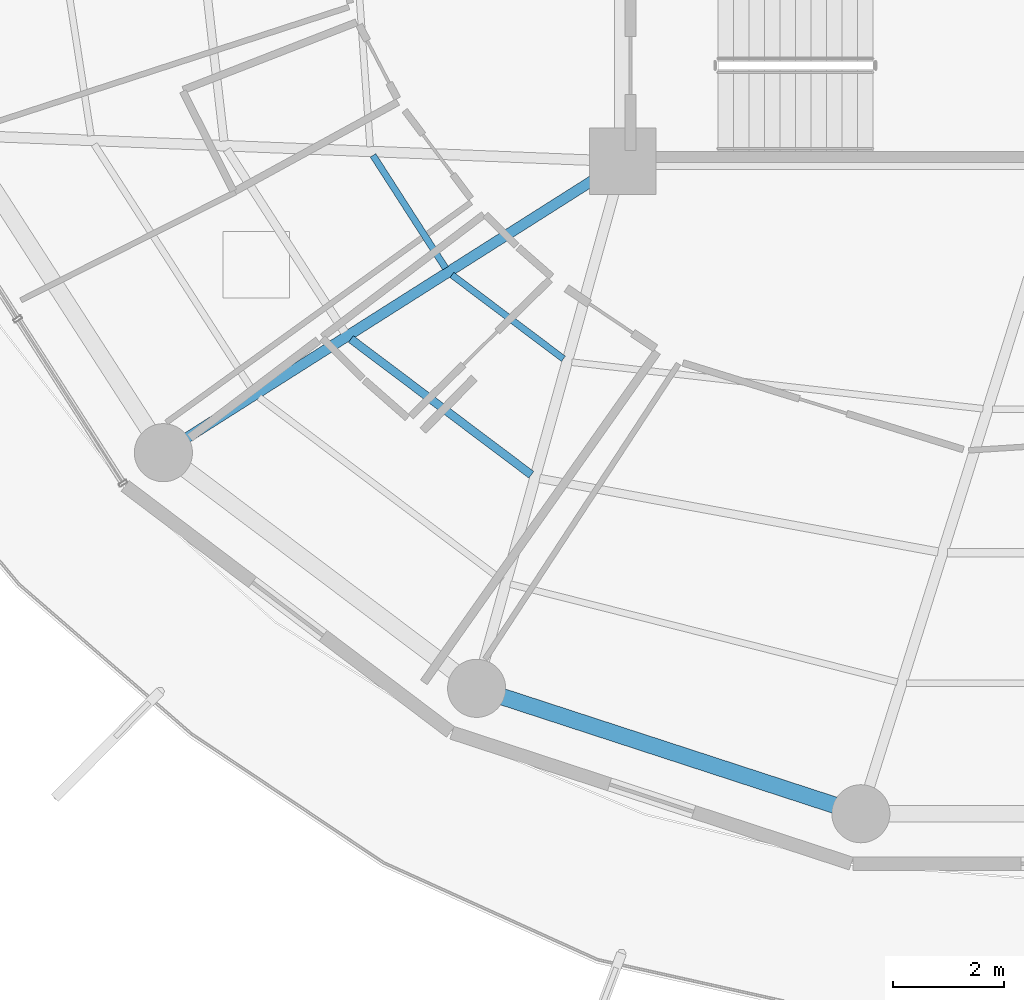
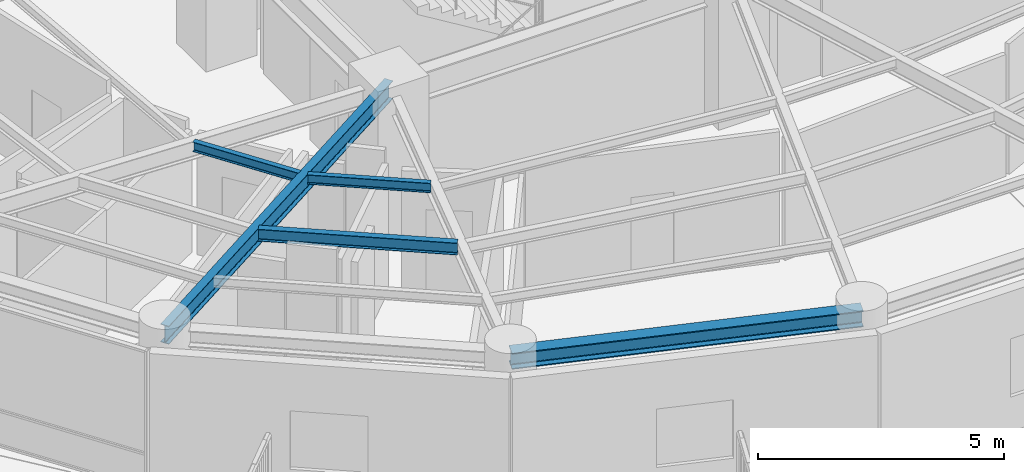
# One storey, part 3 of 30: 5 beams.
"""IFC4 building model written with IfcOpenShell, lengths in metres."""

from ifc_helpers import new_model, si_unit, direction, frame, origin, origin_2d, place, context, subcontext, project, spatial, i_section, extrude, material, material_profile, profile_set, type_object, element, save


model = new_model("IFC4")

# Units and contexts
model_context = context("Model", 3, precision=1e-05, world=origin(), true_north=direction((0.0, 1.0)))
body_context = subcontext(model_context, "Body", "Model", "MODEL_VIEW")
ifc_project = project(units=[si_unit("LENGTHUNIT", "METRE"), si_unit("AREAUNIT", "SQUARE_METRE"), si_unit("VOLUMEUNIT", "CUBIC_METRE"), si_unit("PLANEANGLEUNIT", "RADIAN"), si_unit("MASSUNIT", "GRAM", prefix="KILO")], contexts=[model_context])

# Site, building, storey
site_placement = place(None, origin())
site = spatial("IfcSite", under=ifc_project, at=site_placement, CompositionType="ELEMENT")
building_placement = place(site_placement, origin())
building = spatial("IfcBuilding", under=site, at=building_placement, Name="Kelanora Arch Commons", CompositionType="ELEMENT")
storey_placement = place(building_placement, frame((0.0, 0.0, 208.199951171875)))
storey = spatial("IfcBuildingStorey", under=building, at=storey_placement, Name="L53", CompositionType="ELEMENT", Elevation=208.199951171875)

# Beams
ifc_material = material(Name="Steel S355", Category="steel")
ifc_material_profile_1 = material_profile(ifc_material, i_section(OverallWidth=0.14990234375, OverallDepth=0.300048828125, WebThickness=0.007080078125, FlangeThickness=0.0107421875, FilletRadius=0.014892578125, at=origin_2d()), Name="IPE300")
ifc_profile_set_1 = profile_set([ifc_material_profile_1], Name="Steel S355")
beam_type_1 = type_object("IfcBeamType", Name="BM-JST-01", PredefinedType="JOIST", material=ifc_profile_set_1)
beam_1_placement = place(storey_placement, frame((61.087158203125, 47.790283203125, 3.340087890625), z_axis=(0.799101708656, -0.601195857624, 0.0), x_axis=(0.601195857624, 0.799101708656, 0.0)))
element("IfcBeam", 1, at=beam_1_placement, inside=storey, type_object=beam_type_1, Name="Secondary Chord Joist BJB-22 L53", PredefinedType="JOIST", context=body_context, shape_type="SweptSolid", body=[
    extrude(i_section(OverallWidth=0.14990234375, OverallDepth=0.300048828125, WebThickness=0.007080078125, FlangeThickness=0.0107421875, FilletRadius=0.014892578125, at=origin_2d()), origin(), (0.0, 0.0, 1.0), 4.080810546875),
])
ifc_material_profile_2 = material_profile(ifc_material, i_section(OverallWidth=0.1201171875, OverallDepth=0.239990234375, WebThickness=0.006103515625, FlangeThickness=0.009765625, FilletRadius=0.014892578125, at=origin_2d()), Name="IPE240")
ifc_profile_set_2 = profile_set([ifc_material_profile_2], Name="Steel S355")
beam_type_2 = type_object("IfcBeamType", Name="BM-JST-02", PredefinedType="JOIST", material=ifc_profile_set_2)
beam_2_placement = place(storey_placement, frame((61.4873046875, 51.10888671875, 3.3701171875), z_axis=(0.541332763503, -0.840808443796, 0.0), x_axis=(0.840808443796, 0.541332763503, 0.0)))
element("IfcBeam", 2, at=beam_2_placement, inside=storey, type_object=beam_type_2, Name="Secondary Chord Joist BJA-20 L53", PredefinedType="JOIST", context=body_context, shape_type="SweptSolid", body=[
    extrude(i_section(OverallWidth=0.1201171875, OverallDepth=0.239990234375, WebThickness=0.006103515625, FlangeThickness=0.009765625, FilletRadius=0.014892578125, at=origin_2d()), origin(), (0.0, 0.0, 1.0), 2.423583984375),
])
beam_3_placement = place(storey_placement, frame((62.913330078125, 48.948486328125, 3.3701171875), z_axis=(0.79911638933, -0.601176343766, 0.0), x_axis=(0.601176343766, 0.79911638933, 0.0)))
element("IfcBeam", 3, at=beam_3_placement, inside=storey, type_object=beam_type_2, Name="Secondary Chord Joist BJA-22 L53", PredefinedType="JOIST", context=body_context, shape_type="SweptSolid", body=[
    extrude(i_section(OverallWidth=0.1201171875, OverallDepth=0.239990234375, WebThickness=0.006103515625, FlangeThickness=0.009765625, FilletRadius=0.014892578125, at=origin_2d()), origin(), (0.0, 0.0, 1.0), 2.522216796875),
])
ifc_material_profile_3 = material_profile(ifc_material, i_section(OverallWidth=0.18994140625, OverallDepth=0.449951171875, WebThickness=0.009521484375, FlangeThickness=0.0146484375, FilletRadius=0.02099609375, at=origin_2d()), Name="IPE450")
ifc_profile_set_3 = profile_set([ifc_material_profile_3], Name="Steel S355")
beam_type_3 = type_object("IfcBeamType", Name="BM-RAD-Z4", PredefinedType="BEAM", material=ifc_profile_set_3)
beam_4_placement = place(storey_placement, frame((66.0, 51.0, 3.26513671875), z_axis=(-0.844507208607, -0.535544185489, 0.0), x_axis=(0.535544185489, -0.844507208607, 0.0)))
element("IfcBeam", 4, at=beam_4_placement, inside=storey, type_object=beam_type_3, Name="Radial Floor Girder BR-22 L53", PredefinedType="BEAM", context=body_context, shape_type="SweptSolid", body=[
    extrude(i_section(OverallWidth=0.18994140625, OverallDepth=0.449951171875, WebThickness=0.009521484375, FlangeThickness=0.0146484375, FilletRadius=0.02099609375, at=origin_2d()), origin(), (0.0, 0.0, 1.0), 9.830078125),
])
ifc_material_profile_4 = material_profile(ifc_material, i_section(OverallWidth=0.300048828125, OverallDepth=0.39990234375, WebThickness=0.013427734375, FlangeThickness=0.02392578125, FilletRadius=0.027099609375, at=origin_2d()), Name="HEB400")
ifc_profile_set_4 = profile_set([ifc_material_profile_4], Name="Steel S355")
beam_type_4 = type_object("IfcBeamType", Name="BM-SPN-Z4", PredefinedType="SPANDREL", material=ifc_profile_set_4)
beam_5_placement = place(storey_placement, frame((63.360107421875, 41.476318359375, 3.2900390625), z_axis=(0.950656361143, -0.310245842872, 0.0), x_axis=(0.310245842872, 0.950656361143, 0.0)))
element("IfcBeam", 5, at=beam_5_placement, inside=storey, type_object=beam_type_4, Name="Perimeter Spandrel Beam BS-24 L53", PredefinedType="SPANDREL", context=body_context, shape_type="SweptSolid", body=[
    extrude(i_section(OverallWidth=0.300048828125, OverallDepth=0.39990234375, WebThickness=0.013427734375, FlangeThickness=0.02392578125, FilletRadius=0.027099609375, at=origin_2d()), origin(), (0.0, 0.0, 1.0), 7.304931640625),
])

save(model, "model.ifc")
